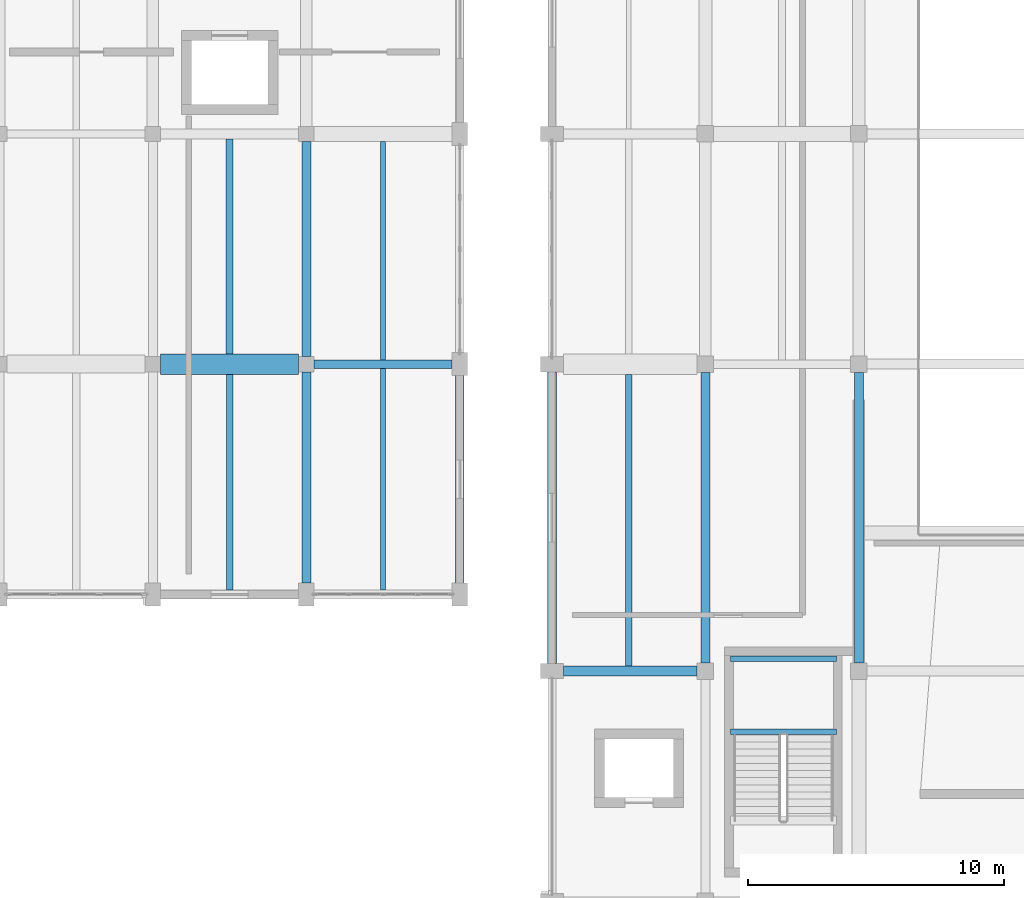
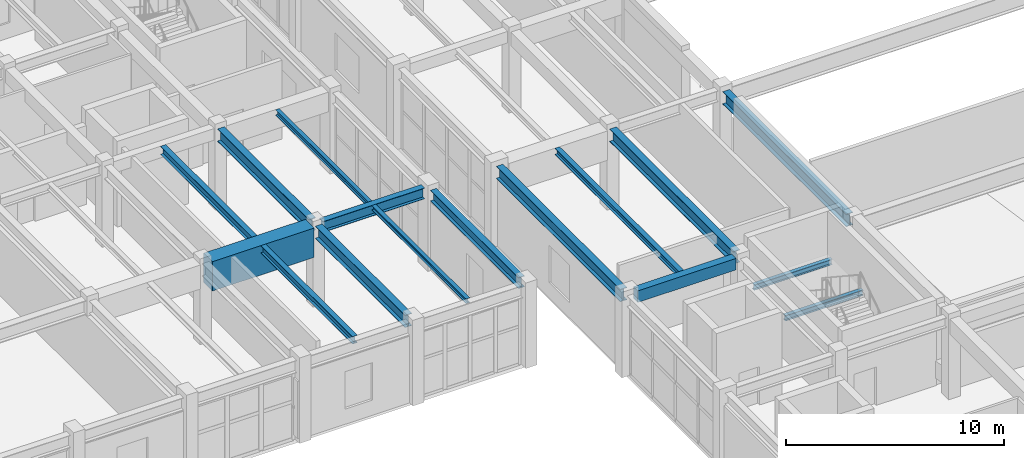
# One storey, part 16 of 80: 16 beams.
"""IFC4 building model written with IfcOpenShell, lengths in metres."""

from ifc_helpers import new_model, si_unit, direction, frame, origin, origin_2d, place, context, subcontext, project, spatial, rectangle, i_section, extrude, material, material_profile, profile_set, type_object, element, save


model = new_model("IFC4")

# Units and contexts
model_context = context("Model", 3, precision=1e-05, world=origin(), true_north=direction((0.0, 1.0)))
body_context = subcontext(model_context, "Body", "Model", "MODEL_VIEW")
ifc_project = project(units=[si_unit("LENGTHUNIT", "METRE"), si_unit("AREAUNIT", "SQUARE_METRE"), si_unit("VOLUMEUNIT", "CUBIC_METRE"), si_unit("PLANEANGLEUNIT", "RADIAN"), si_unit("MASSUNIT", "GRAM", prefix="KILO")], contexts=[model_context])

# Site, building, storey
site_placement = place(None, origin())
site = spatial("IfcSite", under=ifc_project, at=site_placement, CompositionType="ELEMENT")
building_placement = place(site_placement, origin())
building = spatial("IfcBuilding", under=site, at=building_placement, Name="Vaelkrest Opera House", CompositionType="ELEMENT")
storey_placement = place(building_placement, frame((0.0, 0.0, 15.0)))
storey = spatial("IfcBuildingStorey", under=building, at=storey_placement, Name="L03", CompositionType="ELEMENT", Elevation=15.0)

# Beams
ifc_material_1 = material(Name="Concrete C50/60", Category="concrete")
ifc_material_profile_1 = material_profile(ifc_material_1, rectangle(XDim=0.39990234375, YDim=0.64990234375, at=origin_2d()), Name="RCB400X650")
ifc_profile_set_1 = profile_set([ifc_material_profile_1], Name="Concrete C50/60")
beam_type_1 = type_object("IfcBeamType", Name="B01", PredefinedType="BEAM", material=ifc_profile_set_1)
beam_1_placement = place(storey_placement, frame((-29.550048828125, -19.800048828125, 4.179931640625), z_axis=(1.0, 0.0, 0.0), x_axis=(0.0, 1.0, 0.0)))
element("IfcBeam", 1, at=beam_1_placement, inside=storey, type_object=beam_type_1, Name="Beam BM-V1-L03-0445", PredefinedType="BEAM", context=body_context, shape_type="SweptSolid", body=[
    extrude(rectangle(XDim=0.39990234375, YDim=0.64990234375, at=origin_2d()), origin(), (0.0, 0.0, 1.0), 5.22509765625),
])
ifc_material_profile_2 = material_profile(ifc_material_1, rectangle(XDim=0.800048828125, YDim=1.64990234375, at=origin_2d()), Name="RCB800X1650")
ifc_profile_set_2 = profile_set([ifc_material_profile_2], Name="Concrete C50/60")
beam_type_2 = type_object("IfcBeamType", Name="B07", PredefinedType="BEAM", material=ifc_profile_set_2)
beam_2_placement = place(storey_placement, frame((-45.300048828125, -7.800048828125, 3.679931640625), z_axis=(1.0, 0.0, 0.0), x_axis=(0.0, 1.0, 0.0)))
element("IfcBeam", 2, at=beam_2_placement, inside=storey, type_object=beam_type_2, Name="Beam BM-V3-L03-1744", PredefinedType="BEAM", context=body_context, shape_type="SweptSolid", body=[
    extrude(rectangle(XDim=0.800048828125, YDim=1.64990234375, at=origin_2d()), origin(), (0.0, 0.0, 1.0), 5.400146484375),
])
ifc_material_2 = material(Name="Steel A992 Gr50", Category="steel")
ifc_material_profile_3 = material_profile(ifc_material_2, i_section(OverallWidth=0.323974609375, OverallDepth=0.611083984375, WebThickness=0.0126953125, FlangeThickness=0.01904296875, at=origin_2d()), Name="W24X104")
ifc_profile_set_3 = profile_set([ifc_material_profile_3], Name="Steel A992 Gr50")
beam_type_3 = type_object("IfcBeamType", Name="B08", PredefinedType="BEAM", material=ifc_profile_set_3)
beam_3_placement = place(storey_placement, frame((-39.300048828125, -7.800048828125, 4.199462890625), z_axis=(1.0, 0.0, 0.0), x_axis=(0.0, 1.0, 0.0)))
element("IfcBeam", 3, at=beam_3_placement, inside=storey, type_object=beam_type_3, Name="Beam BM-V3-L03-1745", PredefinedType="BEAM", context=body_context, shape_type="SweptSolid", body=[
    extrude(i_section(OverallWidth=0.323974609375, OverallDepth=0.611083984375, WebThickness=0.0126953125, FlangeThickness=0.01904296875, at=origin_2d()), origin(), (0.0, 0.0, 1.0), 5.400146484375),
])
ifc_material_profile_4 = material_profile(ifc_material_2, i_section(OverallWidth=0.35498046875, OverallDepth=0.695068359375, WebThickness=0.015380859375, FlangeThickness=0.02490234375, at=origin_2d()), Name="W27X146")
ifc_profile_set_4 = profile_set([ifc_material_profile_4], Name="Steel A992 Gr50")
beam_type_4 = type_object("IfcBeamType", Name="B10", PredefinedType="BEAM", material=ifc_profile_set_4)
beam_4_placement = place(storey_placement, frame((-39.60009765625, -16.35009765625, 4.157470703125), z_axis=(0.0, 1.0, 0.0), x_axis=(-1.0, 0.0, 0.0)))
element("IfcBeam", 4, at=beam_4_placement, inside=storey, type_object=beam_type_4, Name="Beam BM-V3-L03-1781", PredefinedType="BEAM", context=body_context, shape_type="SweptSolid", body=[
    extrude(i_section(OverallWidth=0.35498046875, OverallDepth=0.695068359375, WebThickness=0.015380859375, FlangeThickness=0.02490234375, at=origin_2d()), origin(), (0.0, 0.0, 1.0), 8.25),
])
ifc_material_profile_5 = material_profile(ifc_material_2, i_section(OverallWidth=0.35791015625, OverallDepth=0.7060546875, WebThickness=0.018310546875, FlangeThickness=0.0302734375, at=origin_2d()), Name="W27X178")
ifc_profile_set_5 = profile_set([ifc_material_profile_5], Name="Steel A992 Gr50")
beam_type_5 = type_object("IfcBeamType", Name="B14", PredefinedType="BEAM", material=ifc_profile_set_5)
for number, where, z_axis, x_axis, name in (
    (5, (-24.0, -19.47509765625, 4.152099609375), (0.0, 1.0, 0.0), (-1.0, 0.0, 0.0), "Beam BM-V1-L03-0482"),
    (6, (-18.0, -19.47509765625, 4.152099609375), (0.0, 1.0, 0.0), (-1.0, 0.0, 0.0), "Beam BM-V1-L03-0490"),
):
    element("IfcBeam", number, at=place(storey_placement, frame(where, z_axis=z_axis, x_axis=x_axis)), inside=storey, type_object=beam_type_5, Name=name, PredefinedType="BEAM", context=body_context, shape_type="SweptSolid", body=[
        extrude(i_section(OverallWidth=0.35791015625, OverallDepth=0.7060546875, WebThickness=0.018310546875, FlangeThickness=0.0302734375, at=origin_2d()), origin(), (0.0, 0.0, 1.0), 11.35009765625),
    ])
beam_5_placement = place(storey_placement, frame((-39.60009765625, -7.5, 4.152099609375), z_axis=(0.0, 1.0, 0.0), x_axis=(-1.0, 0.0, 0.0)))
element("IfcBeam", 7, at=beam_5_placement, inside=storey, type_object=beam_type_5, Name="Beam BM-V3-L03-1782", PredefinedType="BEAM", context=body_context, shape_type="SweptSolid", body=[
    extrude(i_section(OverallWidth=0.35791015625, OverallDepth=0.7060546875, WebThickness=0.018310546875, FlangeThickness=0.0302734375, at=origin_2d()), origin(), (0.0, 0.0, 1.0), 8.39990234375),
])
ifc_material_profile_6 = material_profile(ifc_material_2, i_section(OverallWidth=0.2041015625, OverallDepth=0.257080078125, WebThickness=0.0087890625, FlangeThickness=0.015625, at=origin_2d()), Name="W10X45")
ifc_profile_set_6 = profile_set([ifc_material_profile_6], Name="Steel A992 Gr50")
beam_type_6 = type_object("IfcBeamType", Name="J01", PredefinedType="JOIST", material=ifc_profile_set_6)
beam_6_placement = place(storey_placement, frame((-36.60009765625, -16.62255859375, 4.37646484375), z_axis=(0.0, 1.0, 0.0), x_axis=(-1.0, 0.0, 0.0)))
element("IfcBeam", 8, at=beam_6_placement, inside=storey, type_object=beam_type_6, Name="Floor joist JST-V3-L03-1801", PredefinedType="JOIST", context=body_context, shape_type="SweptSolid", body=[
    extrude(i_section(OverallWidth=0.2041015625, OverallDepth=0.257080078125, WebThickness=0.0087890625, FlangeThickness=0.015625, at=origin_2d()), origin(), (0.0, 0.0, 1.0), 8.66064453125),
])
ifc_material_profile_7 = material_profile(ifc_material_2, i_section(OverallWidth=0.202880859375, OverallDepth=0.302978515625, WebThickness=0.007568359375, FlangeThickness=0.01318359375, at=origin_2d()), Name="W12X40")
ifc_profile_set_7 = profile_set([ifc_material_profile_7], Name="Steel A992 Gr50")
beam_type_7 = type_object("IfcBeamType", Name="J02", PredefinedType="JOIST", material=ifc_profile_set_7)
beam_7_placement = place(storey_placement, frame((-36.60009765625, -7.637939453125, 4.353515625), z_axis=(0.0, 1.0, 0.0), x_axis=(-1.0, 0.0, 0.0)))
element("IfcBeam", 9, at=beam_7_placement, inside=storey, type_object=beam_type_7, Name="Floor joist JST-V3-L03-1802", PredefinedType="JOIST", context=body_context, shape_type="SweptSolid", body=[
    extrude(i_section(OverallWidth=0.202880859375, OverallDepth=0.302978515625, WebThickness=0.007568359375, FlangeThickness=0.01318359375, at=origin_2d()), origin(), (0.0, 0.0, 1.0), 8.537841796875),
])
for number, where, z_axis, x_axis, name in (
    (10, (-23.02001953125, -22.169921875, 2.048583984375), (1.0, 0.0, 0.0), (0.0, 1.0, 0.0), "Stair landing bearer beam ST01 L03-1N"),
    (11, (-23.02001953125, -19.320068359375, 2.048583984375), (1.0, 0.0, 0.0), (0.0, 1.0, 0.0), "Stair landing bearer beam ST01 L03-1F"),
):
    element("IfcBeam", number, at=place(storey_placement, frame(where, z_axis=z_axis, x_axis=x_axis)), inside=storey, type_object=beam_type_7, Name=name, PredefinedType="JOIST", context=body_context, shape_type="SweptSolid", body=[
        extrude(i_section(OverallWidth=0.202880859375, OverallDepth=0.302978515625, WebThickness=0.007568359375, FlangeThickness=0.01318359375, at=origin_2d()), origin(), (0.0, 0.0, 1.0), 4.14013671875),
    ])
ifc_material_profile_8 = material_profile(ifc_material_2, i_section(OverallWidth=0.2548828125, OverallDepth=0.35693359375, WebThickness=0.010498046875, FlangeThickness=0.018310546875, at=origin_2d()), Name="W14X68")
ifc_profile_set_8 = profile_set([ifc_material_profile_8], Name="Steel A992 Gr50")
beam_type_8 = type_object("IfcBeamType", Name="J05", PredefinedType="JOIST", material=ifc_profile_set_8)
beam_8_placement = place(storey_placement, frame((-27.0, -19.60009765625, 4.326416015625), z_axis=(0.0, 1.0, 0.0), x_axis=(-1.0, 0.0, 0.0)))
element("IfcBeam", 12, at=beam_8_placement, inside=storey, type_object=beam_type_8, Name="Floor joist JST-V1-L03-0515", PredefinedType="JOIST", context=body_context, shape_type="SweptSolid", body=[
    extrude(i_section(OverallWidth=0.2548828125, OverallDepth=0.35693359375, WebThickness=0.010498046875, FlangeThickness=0.018310546875, at=origin_2d()), origin(), (0.0, 0.0, 1.0), 11.400146484375),
])
ifc_material_profile_9 = material_profile(ifc_material_2, i_section(OverallWidth=0.261962890625, OverallDepth=0.4189453125, WebThickness=0.01171875, FlangeThickness=0.019287109375, at=origin_2d()), Name="W16X77")
ifc_profile_set_9 = profile_set([ifc_material_profile_9], Name="Steel A992 Gr50")
beam_type_9 = type_object("IfcBeamType", Name="J08", PredefinedType="JOIST", material=ifc_profile_set_9)
beam_9_placement = place(storey_placement, frame((-42.60009765625, -16.62255859375, 4.29541015625), z_axis=(0.0, 1.0, 0.0), x_axis=(-1.0, 0.0, 0.0)))
element("IfcBeam", 13, at=beam_9_placement, inside=storey, type_object=beam_type_9, Name="Floor joist JST-V3-L03-1798", PredefinedType="JOIST", context=body_context, shape_type="SweptSolid", body=[
    extrude(i_section(OverallWidth=0.261962890625, OverallDepth=0.4189453125, WebThickness=0.01171875, FlangeThickness=0.019287109375, at=origin_2d()), origin(), (0.0, 0.0, 1.0), 8.422607421875),
])
ifc_material_profile_10 = material_profile(ifc_material_2, i_section(OverallWidth=0.280029296875, OverallDepth=0.462890625, WebThickness=0.0107421875, FlangeThickness=0.017333984375, at=origin_2d()), Name="W18X76")
ifc_profile_set_10 = profile_set([ifc_material_profile_10], Name="Steel A992 Gr50")
beam_type_10 = type_object("IfcBeamType", Name="J09", PredefinedType="JOIST", material=ifc_profile_set_10)
beam_10_placement = place(storey_placement, frame((-42.60009765625, -7.39990234375, 4.2734375), z_axis=(0.0, 1.0, 0.0), x_axis=(-1.0, 0.0, 0.0)))
element("IfcBeam", 14, at=beam_10_placement, inside=storey, type_object=beam_type_10, Name="Floor joist JST-V3-L03-1799", PredefinedType="JOIST", context=body_context, shape_type="SweptSolid", body=[
    extrude(i_section(OverallWidth=0.280029296875, OverallDepth=0.462890625, WebThickness=0.0107421875, FlangeThickness=0.017333984375, at=origin_2d()), origin(), (0.0, 0.0, 1.0), 8.39990234375),
])
ifc_material_profile_11 = material_profile(ifc_material_2, i_section(OverallWidth=0.323974609375, OverallDepth=0.611083984375, WebThickness=0.0126953125, FlangeThickness=0.01904296875, at=origin_2d()), Name="W24X104")
ifc_profile_set_11 = profile_set([ifc_material_profile_11], Name="Steel A992 Gr50")
beam_type_11 = type_object("IfcBeamType", Name="SP01", PredefinedType="SPANDREL", material=ifc_profile_set_11)
beam_11_placement = place(storey_placement, frame((-33.60009765625, -16.35009765625, 4.199462890625), z_axis=(0.0, 1.0, 0.0), x_axis=(-1.0, 0.0, 0.0)))
element("IfcBeam", 15, at=beam_11_placement, inside=storey, type_object=beam_type_11, Name="Beam BM-V3-L03-1785", PredefinedType="SPANDREL", context=body_context, shape_type="SweptSolid", body=[
    extrude(i_section(OverallWidth=0.323974609375, OverallDepth=0.611083984375, WebThickness=0.0126953125, FlangeThickness=0.01904296875, at=origin_2d()), origin(), (0.0, 0.0, 1.0), 8.10009765625),
])
ifc_material_profile_12 = material_profile(ifc_material_2, i_section(OverallWidth=0.35498046875, OverallDepth=0.695068359375, WebThickness=0.015380859375, FlangeThickness=0.02490234375, at=origin_2d()), Name="W27X146")
ifc_profile_set_12 = profile_set([ifc_material_profile_12], Name="Steel A992 Gr50")
beam_type_12 = type_object("IfcBeamType", Name="SP02", PredefinedType="SPANDREL", material=ifc_profile_set_12)
beam_12_placement = place(storey_placement, frame((-30.0, -19.5, 4.157470703125), z_axis=(0.0, 1.0, 0.0), x_axis=(-1.0, 0.0, 0.0)))
element("IfcBeam", 16, at=beam_12_placement, inside=storey, type_object=beam_type_12, Name="Beam BM-V1-L03-0477", PredefinedType="SPANDREL", context=body_context, shape_type="SweptSolid", body=[
    extrude(i_section(OverallWidth=0.35498046875, OverallDepth=0.695068359375, WebThickness=0.015380859375, FlangeThickness=0.02490234375, at=origin_2d()), origin(), (0.0, 0.0, 1.0), 11.39990234375),
])

save(model, "model.ifc")
